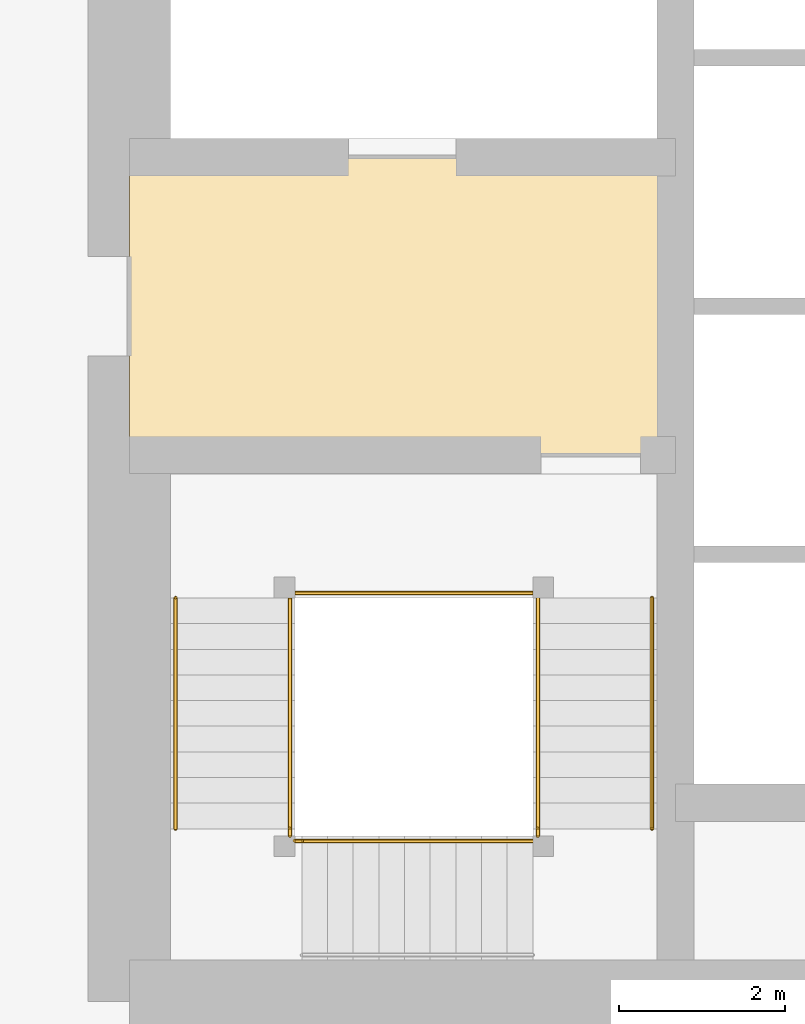
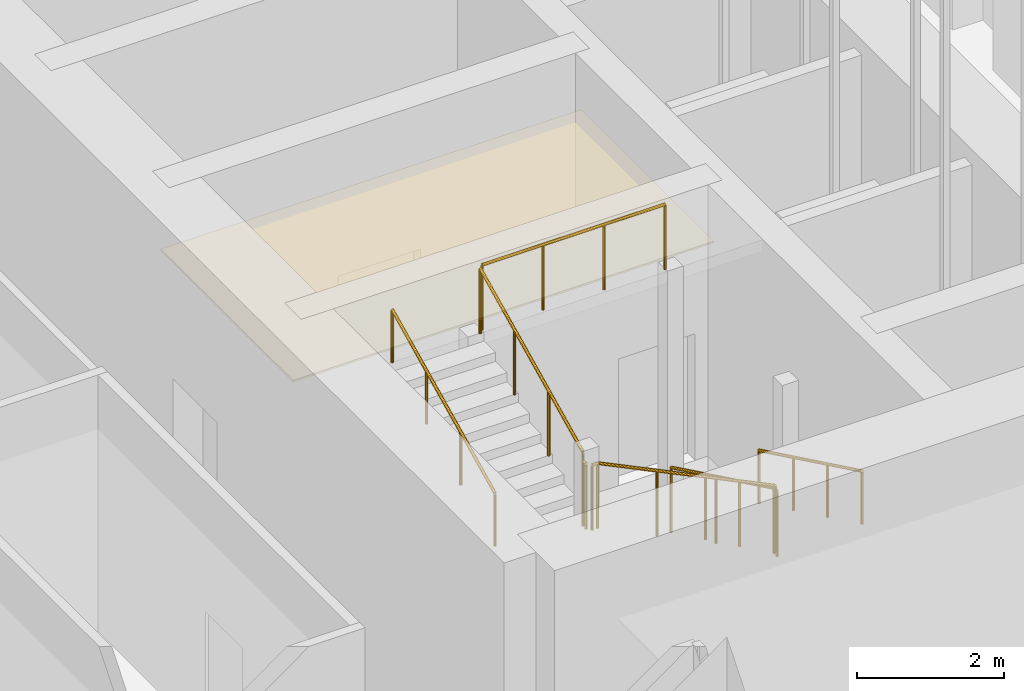
# One storey, part 20 of 39: 9 railings, 1 covering.
"""IFC4 building model written with IfcOpenShell, lengths in metres."""

from ifc_helpers import new_model, si_unit, direction, frame, origin, origin_2d, place, context, subcontext, project, spatial, polyline, circle, outline, extrude, material, layer, layer_set, type_object, element, save


model = new_model("IFC4")

# Units and contexts
model_context = context("Model", 3, precision=1e-05, world=origin(), true_north=direction((0.0, 1.0)))
body_context = subcontext(model_context, "Body", "Model", "MODEL_VIEW")
ifc_project = project(units=[si_unit("LENGTHUNIT", "METRE"), si_unit("AREAUNIT", "SQUARE_METRE"), si_unit("VOLUMEUNIT", "CUBIC_METRE"), si_unit("PLANEANGLEUNIT", "RADIAN"), si_unit("MASSUNIT", "GRAM", prefix="KILO")], contexts=[model_context])

# Site, building, storey
site_placement = place(None, origin())
site = spatial("IfcSite", under=ifc_project, at=site_placement, CompositionType="ELEMENT")
building_placement = place(site_placement, origin())
building = spatial("IfcBuilding", under=site, at=building_placement, Name="Rekha Terrace Tower", CompositionType="ELEMENT")
storey_placement = place(building_placement, frame((0.0, 0.0, 168.199951171875)))
storey = spatial("IfcBuildingStorey", under=building, at=storey_placement, Name="L42", CompositionType="ELEMENT", Elevation=168.199951171875)

# Covering
ifc_material_1 = material(Name="Powder-coated aluminium pan", Category="aluminium")
ifc_layer = layer(ifc_material_1, 0.030029296875)
ifc_layer_set = layer_set([ifc_layer], Name="Powder-coated aluminium pan")
covering_type = type_object("IfcCoveringType", Name="CL3 300x1200 metal pan ceiling", PredefinedType="CEILING", material=ifc_layer_set)
covering_placement = place(storey_placement, frame((0.0, 0.0, 3.320068359375)))
element("IfcCovering", 1, at=covering_placement, inside=storey, type_object=covering_type, Name="Ceiling L42-FLB1", PredefinedType="CEILING", context=body_context, shape_type="SweptSolid", body=[
    extrude(outline(polyline([(31.800048828125, 31.199951171875), (25.199951171875, 31.199951171875), (25.199951171875, 27.60009765625), (31.800048828125, 27.60009765625), (31.800048828125, 31.199951171875)])), origin(), (0.0, 0.0, 1.0), 0.030029296875),
])

# Railings
ifc_material_2 = material(Name="Stainless steel balustrade", Category="steel")
railing_type_1 = type_object("IfcRailingType", Name="GR1 1100 stair guard", PredefinedType="GUARDRAIL", material=ifc_material_2)
railing_1_placement = place(storey_placement, frame((30.135009765625, 25.875, 0.150146484375)))
element("IfcRailing", 2, at=railing_1_placement, inside=storey, type_object=railing_type_1, Name="Guard ST1 L42 flight 1", PredefinedType="GUARDRAIL", context=body_context, shape_type="SweptSolid", body=[
    extrude(circle(Radius=0.02392578125, at=origin_2d()), frame((0.0, 0.0, 1.076171875), z_axis=(0.0, -0.900180171504, 0.435517690606), x_axis=(1.0, 0.0, 0.0)), (0.0, 0.0, 1.0), 3.099365234375),
    extrude(circle(Radius=0.02099609375, at=origin_2d()), origin(), (0.0, 0.0, 1.0), 1.052001953125),
    extrude(circle(Radius=0.02099609375, at=origin_2d()), frame((0.0, -0.929931640625, 0.449951171875)), (0.0, 0.0, 1.0), 1.052001953125),
    extrude(circle(Radius=0.02099609375, at=origin_2d()), frame((0.0, -1.860107421875, 0.89990234375)), (0.0, 0.0, 1.0), 1.052001953125),
    extrude(circle(Radius=0.02099609375, at=origin_2d()), frame((0.0, -2.7900390625, 1.349853515625)), (0.0, 0.0, 1.0), 1.052001953125),
])
railing_2_placement = place(storey_placement, frame((30.074951171875, 22.93994140625, 1.650146484375)))
element("IfcRailing", 3, at=railing_2_placement, inside=storey, type_object=railing_type_1, Name="Guard ST1 L42 flight 2", PredefinedType="GUARDRAIL", context=body_context, shape_type="SweptSolid", body=[
    extrude(circle(Radius=0.02392578125, at=origin_2d()), frame((0.0, 0.0, 1.076171875), z_axis=(-0.900180171504, 0.0, 0.435517690606), x_axis=(0.0, -1.0, 0.0)), (0.0, 0.0, 1.0), 3.099365234375),
    extrude(circle(Radius=0.02099609375, at=origin_2d()), origin(), (0.0, 0.0, 1.0), 1.052001953125),
    extrude(circle(Radius=0.02099609375, at=origin_2d()), frame((-0.929931640625, 0.0, 0.449951171875)), (0.0, 0.0, 1.0), 1.052001953125),
    extrude(circle(Radius=0.02099609375, at=origin_2d()), frame((-1.860107421875, 0.0, 0.89990234375)), (0.0, 0.0, 1.0), 1.052001953125),
    extrude(circle(Radius=0.02099609375, at=origin_2d()), frame((-2.7900390625, 0.0, 1.349853515625)), (0.0, 0.0, 1.0), 1.052001953125),
])
railing_3_placement = place(storey_placement, frame((27.139892578125, 23.0849609375, 3.150146484375)))
element("IfcRailing", 4, at=railing_3_placement, inside=storey, type_object=railing_type_1, Name="Guard ST1 L42 flight 3", PredefinedType="GUARDRAIL", context=body_context, shape_type="SweptSolid", body=[
    extrude(circle(Radius=0.02392578125, at=origin_2d()), frame((0.0, 0.0, 1.076171875), z_axis=(0.0, 0.900180171504, 0.435517690606), x_axis=(-1.0, 0.0, 0.0)), (0.0, 0.0, 1.0), 3.099365234375),
    extrude(circle(Radius=0.02099609375, at=origin_2d()), origin(), (0.0, 0.0, 1.0), 1.052001953125),
    extrude(circle(Radius=0.02099609375, at=origin_2d()), frame((0.0, 0.929931640625, 0.449951171875)), (0.0, 0.0, 1.0), 1.052001953125),
    extrude(circle(Radius=0.02099609375, at=origin_2d()), frame((0.0, 1.860107421875, 0.89990234375)), (0.0, 0.0, 1.0), 1.052001953125),
    extrude(circle(Radius=0.02099609375, at=origin_2d()), frame((0.0, 2.7900390625, 1.349853515625)), (0.0, 0.0, 1.0), 1.052001953125),
])
railing_4_placement = place(storey_placement, frame((30.135009765625, 23.0849609375, 1.5)))
element("IfcRailing", 5, at=railing_4_placement, inside=storey, type_object=railing_type_1, Name="Guard ST1 L42 landing 1", PredefinedType="GUARDRAIL", context=body_context, shape_type="SweptSolid", body=[
    extrude(circle(Radius=0.02392578125, at=origin_2d()), frame((0.0, 0.0, 1.076171875), z_axis=(0.0, -1.0, 0.0), x_axis=(1.0, 0.0, 0.0)), (0.0, 0.0, 1.0), 0.0849609375),
    extrude(circle(Radius=0.02099609375, at=origin_2d()), origin(), (0.0, 0.0, 1.0), 1.052001953125),
    extrude(circle(Radius=0.02099609375, at=origin_2d()), frame((0.0, -0.0849609375, 0.0)), (0.0, 0.0, 1.0), 1.052001953125),
])
railing_5_placement = place(storey_placement, frame((27.284912109375, 22.93994140625, 3.0)))
element("IfcRailing", 6, at=railing_5_placement, inside=storey, type_object=railing_type_1, Name="Guard ST1 L42 landing 2", PredefinedType="GUARDRAIL", context=body_context, shape_type="SweptSolid", body=[
    extrude(circle(Radius=0.02392578125, at=origin_2d()), frame((0.0, 0.0, 1.076171875), z_axis=(-1.0, 0.0, 0.0), x_axis=(0.0, -1.0, 0.0)), (0.0, 0.0, 1.0), 0.0849609375),
    extrude(circle(Radius=0.02099609375, at=origin_2d()), origin(), (0.0, 0.0, 1.0), 1.052001953125),
    extrude(circle(Radius=0.02099609375, at=origin_2d()), frame((-0.0849609375, 0.0, 0.0)), (0.0, 0.0, 1.0), 1.052001953125),
])
railing_6_placement = place(storey_placement, frame((27.139892578125, 23.0849609375, 3.0)))
element("IfcRailing", 7, at=railing_6_placement, inside=storey, type_object=railing_type_1, Name="Guard ST1 L42 landing 3", PredefinedType="GUARDRAIL", context=body_context, shape_type="SweptSolid", body=[
    extrude(circle(Radius=0.02392578125, at=origin_2d()), frame((0.0, 0.0, 1.076171875), z_axis=(0.0, -1.0, 0.0), x_axis=(1.0, 0.0, 0.0)), (0.0, 0.0, 1.0), 0.0849609375),
    extrude(circle(Radius=0.02099609375, at=origin_2d()), origin(), (0.0, 0.0, 1.0), 1.052001953125),
    extrude(circle(Radius=0.02099609375, at=origin_2d()), frame((0.0, -0.0849609375, 0.0)), (0.0, 0.0, 1.0), 1.052001953125),
])
railing_7_placement = place(storey_placement, frame((30.074951171875, 25.93505859375, 4.5)))
element("IfcRailing", 8, at=railing_7_placement, inside=storey, type_object=railing_type_1, Name="Guard ST1 L42 landing 4", PredefinedType="GUARDRAIL", context=body_context, shape_type="SweptSolid", body=[
    extrude(circle(Radius=0.02392578125, at=origin_2d()), frame((0.0, 0.0, 1.076171875), z_axis=(-1.0, 0.0, 0.0), x_axis=(0.0, -1.0, 0.0)), (0.0, 0.0, 1.0), 2.875),
    extrude(circle(Radius=0.02099609375, at=origin_2d()), origin(), (0.0, 0.0, 1.0), 1.052001953125),
    extrude(circle(Radius=0.02099609375, at=origin_2d()), frame((-0.958251953125, 0.0, 0.0)), (0.0, 0.0, 1.0), 1.052001953125),
    extrude(circle(Radius=0.02099609375, at=origin_2d()), frame((-1.916748046875, 0.0, 0.0)), (0.0, 0.0, 1.0), 1.052001953125),
    extrude(circle(Radius=0.02099609375, at=origin_2d()), frame((-2.875, 0.0, 0.0)), (0.0, 0.0, 1.0), 1.052001953125),
])
ifc_material_3 = material(Name="Stainless steel tube", Category="steel")
railing_type_2 = type_object("IfcRailingType", Name="HR1 900 stair handrail", PredefinedType="HANDRAIL", material=ifc_material_3)
railing_8_placement = place(storey_placement, frame((31.514892578125, 25.875, 0.150146484375)))
element("IfcRailing", 9, at=railing_8_placement, inside=storey, type_object=railing_type_2, Name="Handrail ST1 L42 flight 1", PredefinedType="HANDRAIL", context=body_context, shape_type="SweptSolid", body=[
    extrude(circle(Radius=0.02392578125, at=origin_2d()), frame((0.0, 0.0, 0.8759765625), z_axis=(0.0, -0.900180171504, 0.435517690606), x_axis=(1.0, 0.0, 0.0)), (0.0, 0.0, 1.0), 3.099365234375),
    extrude(circle(Radius=0.02099609375, at=origin_2d()), origin(), (0.0, 0.0, 1.0), 0.851806640625),
    extrude(circle(Radius=0.02099609375, at=origin_2d()), frame((0.0, -0.929931640625, 0.449951171875)), (0.0, 0.0, 1.0), 0.851806640625),
    extrude(circle(Radius=0.02099609375, at=origin_2d()), frame((0.0, -1.860107421875, 0.89990234375)), (0.0, 0.0, 1.0), 0.851806640625),
    extrude(circle(Radius=0.02099609375, at=origin_2d()), frame((0.0, -2.7900390625, 1.349853515625)), (0.0, 0.0, 1.0), 0.851806640625),
])
railing_9_placement = place(storey_placement, frame((25.760009765625, 23.0849609375, 3.150146484375)))
element("IfcRailing", 10, at=railing_9_placement, inside=storey, type_object=railing_type_2, Name="Handrail ST1 L42 flight 3", PredefinedType="HANDRAIL", context=body_context, shape_type="SweptSolid", body=[
    extrude(circle(Radius=0.02392578125, at=origin_2d()), frame((0.0, 0.0, 0.8759765625), z_axis=(0.0, 0.900180171504, 0.435517690606), x_axis=(-1.0, 0.0, 0.0)), (0.0, 0.0, 1.0), 3.099365234375),
    extrude(circle(Radius=0.02099609375, at=origin_2d()), origin(), (0.0, 0.0, 1.0), 0.851806640625),
    extrude(circle(Radius=0.02099609375, at=origin_2d()), frame((0.0, 0.929931640625, 0.449951171875)), (0.0, 0.0, 1.0), 0.851806640625),
    extrude(circle(Radius=0.02099609375, at=origin_2d()), frame((0.0, 1.860107421875, 0.89990234375)), (0.0, 0.0, 1.0), 0.851806640625),
    extrude(circle(Radius=0.02099609375, at=origin_2d()), frame((0.0, 2.7900390625, 1.349853515625)), (0.0, 0.0, 1.0), 0.851806640625),
])

save(model, "model.ifc")
